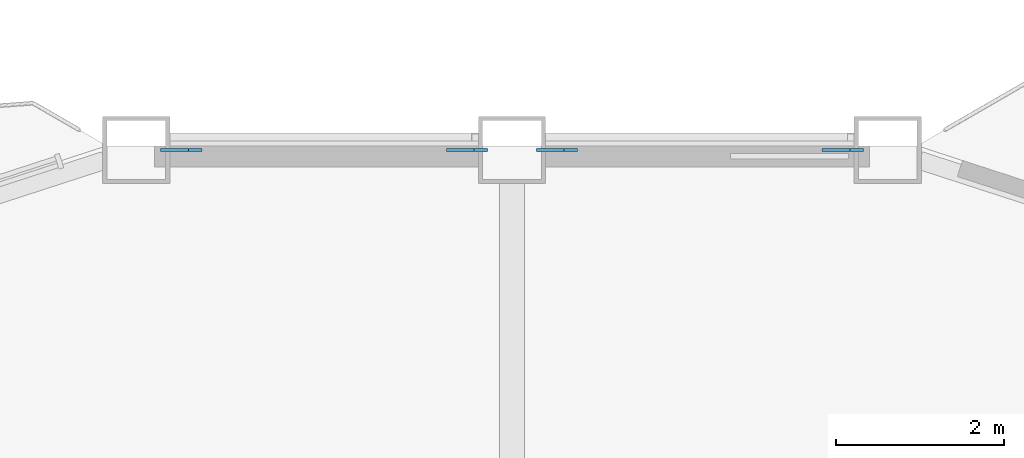
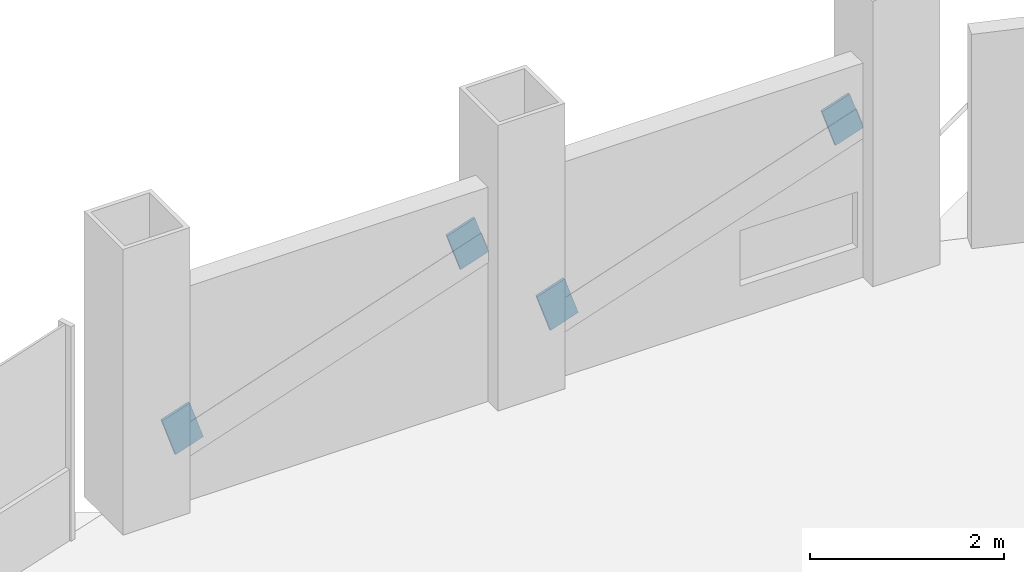
# One storey, part 17 of 22: 4 discrete accessories.
"""IFC4 building model written with IfcOpenShell, lengths in metres."""

from ifc_helpers import new_model, si_unit, direction, frame, origin, origin_2d, place, context, subcontext, project, spatial, rectangle, extrude, material, material_profile, profile_set, type_object, element, save


model = new_model("IFC4")

# Units and contexts
model_context = context("Model", 3, precision=1e-05, world=origin(), true_north=direction((0.0, 1.0)))
body_context = subcontext(model_context, "Body", "Model", "MODEL_VIEW")
ifc_project = project(units=[si_unit("LENGTHUNIT", "METRE"), si_unit("AREAUNIT", "SQUARE_METRE"), si_unit("VOLUMEUNIT", "CUBIC_METRE"), si_unit("PLANEANGLEUNIT", "RADIAN"), si_unit("MASSUNIT", "GRAM", prefix="KILO")], contexts=[model_context])

# Site, building, storey
site_placement = place(None, origin())
site = spatial("IfcSite", under=ifc_project, at=site_placement, CompositionType="ELEMENT")
building_placement = place(site_placement, origin())
building = spatial("IfcBuilding", under=site, at=building_placement, Name="Cormorant Prow Tower", CompositionType="ELEMENT")
storey_placement = place(building_placement, frame((0.0, 0.0, 194.39990234375)))
storey = spatial("IfcBuildingStorey", under=building, at=storey_placement, Name="L42", CompositionType="ELEMENT", Elevation=194.39990234375)

# Discrete accessories
ifc_material = material(Name="Structural steel ASTM A500 Gr C", Category="steel")
ifc_material_profile = material_profile(ifc_material, rectangle(XDim=0.031982421875, YDim=0.506103515625, at=origin_2d()), Name="Gusset plate 32x506")
ifc_profile_set = profile_set([ifc_material_profile], Name="Structural steel ASTM A500 Gr C")
discrete_accessory_type = type_object("IfcDiscreteAccessoryType", Name="Gusset plate 32x506", PredefinedType="BRACKET", material=ifc_profile_set)
discrete_accessory_1_placement = place(storey_placement, frame((0.701416015625, 32.3994140625, 0.835693359375), z_axis=(-0.947843027885, 0.0, -0.318737500915), x_axis=(0.0, -1.0, 0.0)))
element("IfcDiscreteAccessory", 1, at=discrete_accessory_1_placement, inside=storey, type_object=discrete_accessory_type, Name="Gusset plate GP2 L42.N00.g0", PredefinedType="BRACKET", context=body_context, shape_type="SweptSolid", body=[
    extrude(rectangle(XDim=0.031982421875, YDim=0.506103515625, at=origin_2d()), origin(), (0.0, 0.0, 1.0), 0.35009765625),
])
discrete_accessory_2_placement = place(storey_placement, frame((3.768798828125, 32.3994140625, 1.865478515625), z_axis=(0.948053578163, 0.0, 0.318110692893), x_axis=(0.0, 1.0, 0.0)))
element("IfcDiscreteAccessory", 2, at=discrete_accessory_2_placement, inside=storey, type_object=discrete_accessory_type, Name="Gusset plate GP2 L42.N00.g1", PredefinedType="BRACKET", context=body_context, shape_type="SweptSolid", body=[
    extrude(rectangle(XDim=0.031982421875, YDim=0.506103515625, at=origin_2d()), origin(), (0.0, 0.0, 1.0), 0.349853515625),
])
discrete_accessory_3_placement = place(storey_placement, frame((-3.768798828125, 32.3994140625, 0.835693359375), z_axis=(-0.947843027885, 0.0, -0.318737500915), x_axis=(0.0, -1.0, 0.0)))
element("IfcDiscreteAccessory", 3, at=discrete_accessory_3_placement, inside=storey, type_object=discrete_accessory_type, Name="Gusset plate GP2 L42.N01.g0", PredefinedType="BRACKET", context=body_context, shape_type="SweptSolid", body=[
    extrude(rectangle(XDim=0.031982421875, YDim=0.506103515625, at=origin_2d()), origin(), (0.0, 0.0, 1.0), 0.35009765625),
])
discrete_accessory_4_placement = place(storey_placement, frame((-0.701416015625, 32.3994140625, 1.865478515625), z_axis=(0.948053578163, 0.0, 0.318110692893), x_axis=(0.0, 1.0, 0.0)))
element("IfcDiscreteAccessory", 4, at=discrete_accessory_4_placement, inside=storey, type_object=discrete_accessory_type, Name="Gusset plate GP2 L42.N01.g1", PredefinedType="BRACKET", context=body_context, shape_type="SweptSolid", body=[
    extrude(rectangle(XDim=0.031982421875, YDim=0.506103515625, at=origin_2d()), origin(), (0.0, 0.0, 1.0), 0.349853515625),
])

save(model, "model.ifc")
